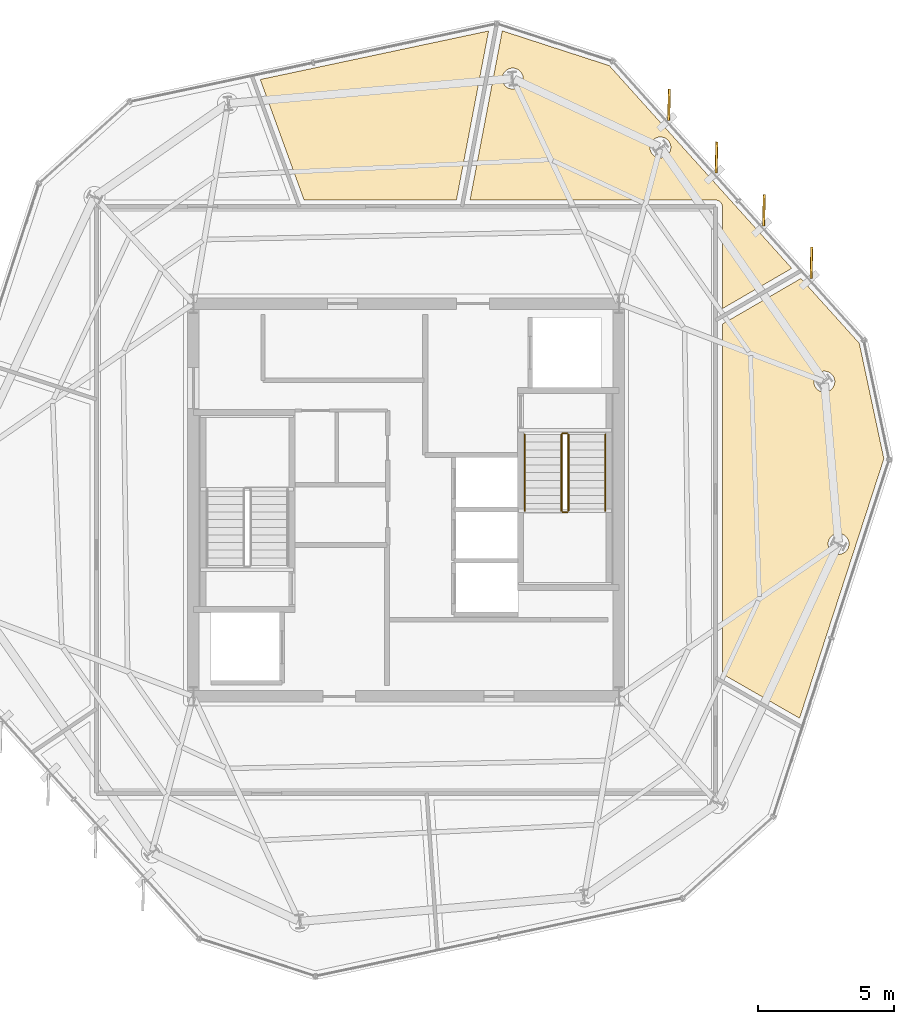
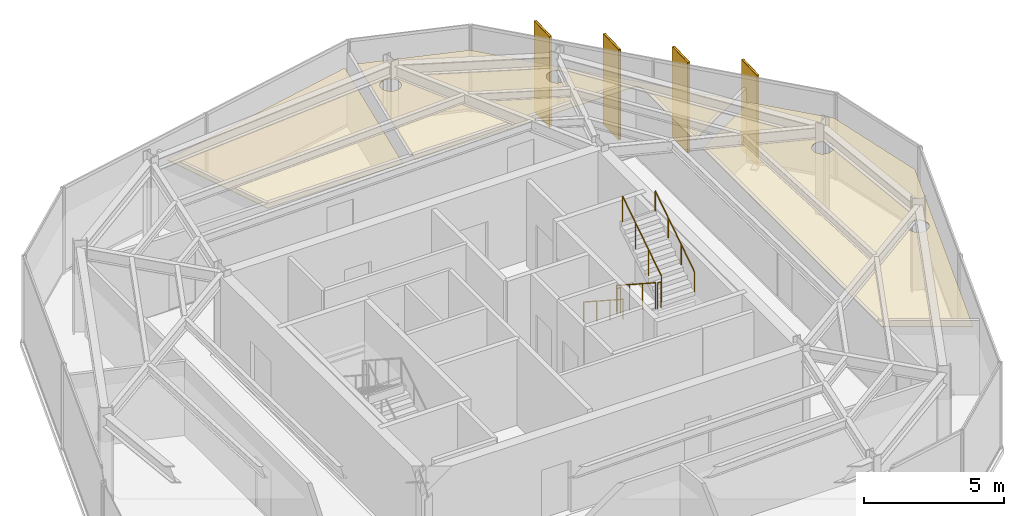
# One storey, part 13 of 13: 7 coverings, 6 railings, 4 shading devices.
"""IFC4 building model written with IfcOpenShell, lengths in metres."""

from ifc_helpers import new_model, si_unit, direction, frame, origin, origin_2d, place, context, subcontext, project, spatial, polyline, rectangle, circle, outline, extrude, material, layer, layer_set, type_object, element, save


model = new_model("IFC4")

# Units and contexts
model_context = context("Model", 3, precision=1e-05, world=origin(), true_north=direction((0.0, 1.0)))
body_context = subcontext(model_context, "Body", "Model", "MODEL_VIEW")
ifc_project = project(units=[si_unit("LENGTHUNIT", "METRE"), si_unit("AREAUNIT", "SQUARE_METRE"), si_unit("VOLUMEUNIT", "CUBIC_METRE"), si_unit("PLANEANGLEUNIT", "RADIAN"), si_unit("MASSUNIT", "GRAM", prefix="KILO")], contexts=[model_context])

# Site, building, storey
site_placement = place(None, origin())
site = spatial("IfcSite", under=ifc_project, at=site_placement, CompositionType="ELEMENT")
building_placement = place(site_placement, origin())
building = spatial("IfcBuilding", under=site, at=building_placement, Name="Kranzbogen Civic Tower", CompositionType="ELEMENT")
storey_placement = place(building_placement, frame((0.0, 0.0, 314.199951171875)))
storey = spatial("IfcBuildingStorey", under=building, at=storey_placement, Name="L76", CompositionType="ELEMENT", Elevation=314.199951171875)

# Coverings
ifc_material_1 = material(Name="Pale Anodised Aluminium", Category="aluminium")
ifc_layer_1 = layer(ifc_material_1, 0.02490234375, Name="Pale Anodised Aluminium")
ifc_layer_set_1 = layer_set([ifc_layer_1], Name="Pale Anodised Aluminium")
covering_type_1 = type_object("IfcCoveringType", Name="Anodised Aluminium Vertical Fin Cladding 25 mm", PredefinedType="CLADDING", material=ifc_layer_set_1)
for number, where, z_axis, x_axis, name in (
    (1, (39.860107421875, 33.695068359375, -0.139892578125), (0.0, 0.0, 1.0), (0.022949064795, 0.999736635532, 0.0), "L76 vertical fin pale-metal cladding F6-1"),
    (2, (38.1201171875, 35.626953125, -0.139892578125), (0.0, 0.0, 1.0), (0.022949064795, 0.999736635532, 0.0), "L76 vertical fin pale-metal cladding F6-2"),
    (3, (36.3798828125, 37.55908203125, -0.139892578125), (0.0, 0.0, 1.0), (0.022949064795, 0.999736635532, 0.0), "L76 vertical fin pale-metal cladding F6-3"),
    (4, (34.639892578125, 39.490966796875, -0.139892578125), (0.0, 0.0, 1.0), (0.022949064795, 0.999736635532, 0.0), "L76 vertical fin pale-metal cladding F6-4"),
):
    element("IfcCovering", number, at=place(storey_placement, frame(where, z_axis=z_axis, x_axis=x_axis)), inside=storey, type_object=covering_type_1, Name=name, PredefinedType="CLADDING", context=body_context, shape_type="SweptSolid", body=[
        extrude(rectangle(XDim=1.14990234375, YDim=0.094970703125, at=origin_2d()), origin(), (0.0, 0.0, 1.0), 3.9599609375),
    ])

# Railings
ifc_material_2 = material(Name="Steel S355", Category="steel")
railing_type_1 = type_object("IfcRailingType", Name="Internal Stair and Void Steel Guardrail 1150", PredefinedType="GUARDRAIL", material=ifc_material_2)
railing_1_placement = place(storey_placement, frame((30.699951171875, 27.39990234375, 0.181884765625)))
element("IfcRailing", 5, at=railing_1_placement, inside=storey, type_object=railing_type_1, Name="L76 ST-T2 stair guard 1", PredefinedType="GUARDRAIL", context=body_context, shape_type="SweptSolid", body=[
    extrude(circle(Radius=0.02392578125, at=origin_2d()), frame((0.0, 0.0, 1.1259765625), z_axis=(0.0, -0.83868413941, 0.544618136222), x_axis=(1.0, 0.0, 0.0)), (0.0, 0.0, 1.0), 3.33837890625),
    extrude(circle(Radius=0.02099609375, at=origin_2d()), origin(), (0.0, 0.0, 1.0), 1.101806640625),
    extrude(circle(Radius=0.02099609375, at=origin_2d()), frame((0.0, -0.933349609375, 0.60595703125)), (0.0, 0.0, 1.0), 1.101806640625),
    extrude(circle(Radius=0.02099609375, at=origin_2d()), frame((0.0, -1.866455078125, 1.212158203125)), (0.0, 0.0, 1.0), 1.101806640625),
    extrude(circle(Radius=0.02099609375, at=origin_2d()), frame((0.0, -2.7998046875, 1.818115234375)), (0.0, 0.0, 1.0), 1.101806640625),
])
railing_2_placement = place(storey_placement, frame((30.75, 24.550048828125, 2.0)))
element("IfcRailing", 6, at=railing_2_placement, inside=storey, type_object=railing_type_1, Name="L76 ST-T2 stair guard 2", PredefinedType="GUARDRAIL", context=body_context, shape_type="SweptSolid", body=[
    extrude(circle(Radius=0.02392578125, at=origin_2d()), frame((0.0, 0.0, 1.1259765625), z_axis=(1.0, 0.0, 0.0), x_axis=(0.0, 1.0, 0.0)), (0.0, 0.0, 1.0), 0.14990234375),
    extrude(circle(Radius=0.02099609375, at=origin_2d()), origin(), (0.0, 0.0, 1.0), 1.101806640625),
    extrude(circle(Radius=0.02099609375, at=origin_2d()), frame((0.14990234375, 0.0, 0.0)), (0.0, 0.0, 1.0), 1.101806640625),
])
railing_3_placement = place(storey_placement, frame((30.949951171875, 24.60009765625, 2.181884765625)))
element("IfcRailing", 7, at=railing_3_placement, inside=storey, type_object=railing_type_1, Name="L76 ST-T2 stair guard 3", PredefinedType="GUARDRAIL", context=body_context, shape_type="SweptSolid", body=[
    extrude(circle(Radius=0.02392578125, at=origin_2d()), frame((0.0, 0.0, 1.1259765625), z_axis=(0.0, 0.83868413941, 0.544618136222), x_axis=(-1.0, 0.0, 0.0)), (0.0, 0.0, 1.0), 3.33837890625),
    extrude(circle(Radius=0.02099609375, at=origin_2d()), origin(), (0.0, 0.0, 1.0), 1.101806640625),
    extrude(circle(Radius=0.02099609375, at=origin_2d()), frame((0.0, 0.933349609375, 0.60595703125)), (0.0, 0.0, 1.0), 1.101806640625),
    extrude(circle(Radius=0.02099609375, at=origin_2d()), frame((0.0, 1.866455078125, 1.212158203125)), (0.0, 0.0, 1.0), 1.101806640625),
    extrude(circle(Radius=0.02099609375, at=origin_2d()), frame((0.0, 2.7998046875, 1.818115234375)), (0.0, 0.0, 1.0), 1.101806640625),
])
railing_4_placement = place(storey_placement, frame((30.75, 27.449951171875, 0.0)))
element("IfcRailing", 8, at=railing_4_placement, inside=storey, type_object=railing_type_1, Name="L76 ST-T2 stair guard 4", PredefinedType="GUARDRAIL", context=body_context, shape_type="SweptSolid", body=[
    extrude(circle(Radius=0.02392578125, at=origin_2d()), frame((0.0, 0.0, 1.1259765625), z_axis=(1.0, 0.0, 0.0), x_axis=(0.0, 1.0, 0.0)), (0.0, 0.0, 1.0), 0.14990234375),
    extrude(circle(Radius=0.02099609375, at=origin_2d()), origin(), (0.0, 0.0, 1.0), 1.101806640625),
    extrude(circle(Radius=0.02099609375, at=origin_2d()), frame((0.14990234375, 0.0, 0.0)), (0.0, 0.0, 1.0), 1.101806640625),
])

# Shading devices
shading_device_type = type_object("IfcShadingDeviceType", Name="Pale Anodised Aluminium Crown Fin 1150x75", PredefinedType="USERDEFINED", material=ifc_material_1)
for number, where, z_axis, x_axis, name in (
    (9, (39.860107421875, 33.695068359375, -0.139892578125), (0.0, 0.0, 1.0), (0.022949064795, 0.999736635532, 0.0), "L76 vertical exterior shading fin F6-1"),
    (10, (38.1201171875, 35.626953125, -0.139892578125), (0.0, 0.0, 1.0), (0.022949064795, 0.999736635532, 0.0), "L76 vertical exterior shading fin F6-2"),
    (11, (36.3798828125, 37.55908203125, -0.139892578125), (0.0, 0.0, 1.0), (0.022949064795, 0.999736635532, 0.0), "L76 vertical exterior shading fin F6-3"),
    (12, (34.639892578125, 39.490966796875, -0.139892578125), (0.0, 0.0, 1.0), (0.022949064795, 0.999736635532, 0.0), "L76 vertical exterior shading fin F6-4"),
):
    element("IfcShadingDevice", number, at=place(storey_placement, frame(where, z_axis=z_axis, x_axis=x_axis)), inside=storey, type_object=shading_device_type, Name=name, ObjectType="FIN", PredefinedType="USERDEFINED", context=body_context, shape_type="SweptSolid", body=[
        extrude(rectangle(XDim=1.14990234375, YDim=0.074951171875, at=origin_2d()), origin(), (0.0, 0.0, 1.0), 3.9599609375),
    ])

# Coverings
ifc_material_3 = material(Name="Perforated Acoustic Gypsum Ceiling")
ifc_layer_2 = layer(ifc_material_3, 0.02490234375, Name="Perforated Acoustic Gypsum Ceiling")
ifc_layer_set_2 = layer_set([ifc_layer_2], Name="Perforated Acoustic Gypsum Ceiling")
covering_type_2 = type_object("IfcCoveringType", Name="Perforated Acoustic Mineral Ceiling Tile 25 mm", PredefinedType="CEILING", material=ifc_layer_set_2)
covering_1_placement = place(storey_placement, frame((0.0, 0.0, 2.75)))
element("IfcCovering", 13, at=covering_1_placement, inside=storey, type_object=covering_type_2, Name="L76 Citizen Services Kiosk acoustic ceiling", PredefinedType="CEILING", context=body_context, shape_type="SweptSolid", body=[
    extrude(outline(polyline([(42.51611328125, 26.511962890625), (39.425048828125, 17.0), (36.594970703125, 18.625), (36.594970703125, 31.448974609375), (39.47509765625, 33.12109375), (41.615966796875, 30.742919921875), (42.51611328125, 26.511962890625)]), holes=[polyline([(41.208984375, 23.242919921875), (41.193115234375, 23.208984375), (41.174072265625, 23.177001953125), (41.15087890625, 23.14697265625), (41.1259765625, 23.118896484375), (41.097900390625, 23.093994140625), (41.068115234375, 23.071044921875), (41.035888671875, 23.052001953125), (41.001953125, 23.035888671875), (40.966064453125, 23.02294921875), (40.929931640625, 23.013916015625), (40.89306640625, 23.008056640625), (40.85498046875, 23.007080078125), (40.81689453125, 23.008056640625), (40.780029296875, 23.013916015625), (40.743896484375, 23.02294921875), (40.7080078125, 23.035888671875), (40.674072265625, 23.052001953125), (40.64208984375, 23.071044921875), (40.612060546875, 23.093994140625), (40.583984375, 23.118896484375), (40.55908203125, 23.14697265625), (40.535888671875, 23.177001953125), (40.51708984375, 23.208984375), (40.5009765625, 23.242919921875), (40.488037109375, 23.279052734375), (40.47900390625, 23.31494140625), (40.472900390625, 23.35205078125), (40.471923828125, 23.389892578125), (40.472900390625, 23.427978515625), (40.47900390625, 23.465087890625), (40.488037109375, 23.5009765625), (40.5009765625, 23.537109375), (40.51708984375, 23.571044921875), (40.535888671875, 23.60302734375), (40.55908203125, 23.633056640625), (40.583984375, 23.660888671875), (40.612060546875, 23.68603515625), (40.64208984375, 23.708984375), (40.674072265625, 23.72802734375), (40.7080078125, 23.743896484375), (40.743896484375, 23.757080078125), (40.780029296875, 23.76611328125), (40.81689453125, 23.77197265625), (40.85498046875, 23.77294921875), (40.89306640625, 23.77197265625), (40.929931640625, 23.76611328125), (40.966064453125, 23.757080078125), (41.001953125, 23.743896484375), (41.035888671875, 23.72802734375), (41.068115234375, 23.708984375), (41.097900390625, 23.68603515625), (41.1259765625, 23.660888671875), (41.15087890625, 23.633056640625), (41.174072265625, 23.60302734375), (41.193115234375, 23.571044921875), (41.208984375, 23.537109375), (41.221923828125, 23.5009765625), (41.23095703125, 23.465087890625), (41.237060546875, 23.427978515625), (41.238037109375, 23.389892578125), (41.237060546875, 23.35205078125), (41.23095703125, 23.31494140625), (41.221923828125, 23.279052734375), (41.208984375, 23.242919921875)]), polyline([(40.68798828125, 29.19189453125), (40.672119140625, 29.157958984375), (40.653076171875, 29.1259765625), (40.6298828125, 29.095947265625), (40.60498046875, 29.068115234375), (40.576904296875, 29.04296875), (40.547119140625, 29.02001953125), (40.514892578125, 29.0009765625), (40.48095703125, 28.985107421875), (40.445068359375, 28.971923828125), (40.408935546875, 28.962890625), (40.3720703125, 28.95703125), (40.333984375, 28.9560546875), (40.2958984375, 28.95703125), (40.259033203125, 28.962890625), (40.222900390625, 28.971923828125), (40.18701171875, 28.985107421875), (40.153076171875, 29.0009765625), (40.12109375, 29.02001953125), (40.091064453125, 29.04296875), (40.06298828125, 29.068115234375), (40.0380859375, 29.095947265625), (40.014892578125, 29.1259765625), (39.99609375, 29.157958984375), (39.97998046875, 29.19189453125), (39.967041015625, 29.22802734375), (39.9580078125, 29.263916015625), (39.951904296875, 29.301025390625), (39.950927734375, 29.339111328125), (39.951904296875, 29.376953125), (39.9580078125, 29.4140625), (39.967041015625, 29.449951171875), (39.97998046875, 29.486083984375), (39.99609375, 29.52001953125), (40.014892578125, 29.552001953125), (40.0380859375, 29.58203125), (40.06298828125, 29.610107421875), (40.091064453125, 29.635009765625), (40.12109375, 29.657958984375), (40.153076171875, 29.677001953125), (40.18701171875, 29.693115234375), (40.222900390625, 29.7060546875), (40.259033203125, 29.715087890625), (40.2958984375, 29.720947265625), (40.333984375, 29.721923828125), (40.3720703125, 29.720947265625), (40.408935546875, 29.715087890625), (40.445068359375, 29.7060546875), (40.48095703125, 29.693115234375), (40.514892578125, 29.677001953125), (40.547119140625, 29.657958984375), (40.576904296875, 29.635009765625), (40.60498046875, 29.610107421875), (40.6298828125, 29.58203125), (40.653076171875, 29.552001953125), (40.672119140625, 29.52001953125), (40.68798828125, 29.486083984375), (40.700927734375, 29.449951171875), (40.7099609375, 29.4140625), (40.716064453125, 29.376953125), (40.717041015625, 29.339111328125), (40.716064453125, 29.301025390625), (40.7099609375, 29.263916015625), (40.700927734375, 29.22802734375), (40.68798828125, 29.19189453125)])]), origin(), (0.0, 0.0, 1.0), 0.025146484375),
])
covering_2_placement = place(storey_placement, frame((0.0, 0.0, 2.75)))
element("IfcCovering", 14, at=covering_2_placement, inside=storey, type_object=covering_type_2, Name="L76 Municipal Exhibition Showroom acoustic ceiling", PredefinedType="CEILING", context=body_context, shape_type="SweptSolid", body=[
    extrude(outline(polyline([(36.594970703125, 32.014892578125), (36.594970703125, 35.75), (36.594970703125, 35.759033203125), (36.593994140625, 35.764892578125), (36.593017578125, 35.782958984375), (36.592041015625, 35.7890625), (36.587890625, 35.805908203125), (36.5869140625, 35.81298828125), (36.58203125, 35.830078125), (36.580078125, 35.8359375), (36.572998046875, 35.85205078125), (36.570068359375, 35.85791015625), (36.56201171875, 35.873046875), (36.55810546875, 35.87890625), (36.549072265625, 35.89306640625), (36.544921875, 35.89794921875), (36.533935546875, 35.912109375), (36.529052734375, 35.9169921875), (36.51708984375, 35.928955078125), (36.511962890625, 35.93408203125), (36.498046875, 35.945068359375), (36.492919921875, 35.948974609375), (36.47900390625, 35.9580078125), (36.472900390625, 35.9619140625), (36.4580078125, 35.969970703125), (36.451904296875, 35.972900390625), (36.43603515625, 35.97998046875), (36.429931640625, 35.98193359375), (36.4130859375, 35.987060546875), (36.406005859375, 35.988037109375), (36.388916015625, 35.991943359375), (36.383056640625, 35.992919921875), (36.364990234375, 35.993896484375), (36.35888671875, 35.9951171875), (36.35009765625, 35.9951171875), (27.343994140625, 35.9951171875), (28.52587890625, 42.199951171875), (32.448974609375, 40.925048828125), (39.139892578125, 33.492919921875), (36.594970703125, 32.014892578125)]), holes=[polyline([(34.676025390625, 37.779052734375), (34.659912109375, 37.7451171875), (34.64111328125, 37.712890625), (34.617919921875, 37.68310546875), (34.593017578125, 37.655029296875), (34.56494140625, 37.6298828125), (34.534912109375, 37.60693359375), (34.5029296875, 37.587890625), (34.468994140625, 37.572021484375), (34.43310546875, 37.55908203125), (34.39697265625, 37.550048828125), (34.360107421875, 37.5439453125), (34.322021484375, 37.54296875), (34.283935546875, 37.5439453125), (34.2470703125, 37.550048828125), (34.2109375, 37.55908203125), (34.175048828125, 37.572021484375), (34.14111328125, 37.587890625), (34.10888671875, 37.60693359375), (34.0791015625, 37.6298828125), (34.051025390625, 37.655029296875), (34.02587890625, 37.68310546875), (34.0029296875, 37.712890625), (33.98388671875, 37.7451171875), (33.968017578125, 37.779052734375), (33.955078125, 37.81494140625), (33.946044921875, 37.85107421875), (33.93994140625, 37.887939453125), (33.93896484375, 37.926025390625), (33.93994140625, 37.964111328125), (33.946044921875, 38.0009765625), (33.955078125, 38.037109375), (33.968017578125, 38.072998046875), (33.98388671875, 38.10693359375), (34.0029296875, 38.138916015625), (34.02587890625, 38.1689453125), (34.051025390625, 38.197021484375), (34.0791015625, 38.221923828125), (34.10888671875, 38.2451171875), (34.14111328125, 38.263916015625), (34.175048828125, 38.280029296875), (34.2109375, 38.29296875), (34.2470703125, 38.302001953125), (34.283935546875, 38.30810546875), (34.322021484375, 38.30908203125), (34.360107421875, 38.30810546875), (34.39697265625, 38.302001953125), (34.43310546875, 38.29296875), (34.468994140625, 38.280029296875), (34.5029296875, 38.263916015625), (34.534912109375, 38.2451171875), (34.56494140625, 38.221923828125), (34.593017578125, 38.197021484375), (34.617919921875, 38.1689453125), (34.64111328125, 38.138916015625), (34.659912109375, 38.10693359375), (34.676025390625, 38.072998046875), (34.68896484375, 38.037109375), (34.697998046875, 38.0009765625), (34.7041015625, 37.964111328125), (34.705078125, 37.926025390625), (34.7041015625, 37.887939453125), (34.697998046875, 37.85107421875), (34.68896484375, 37.81494140625), (34.676025390625, 37.779052734375)]), polyline([(29.262939453125, 40.302978515625), (29.2470703125, 40.26904296875), (29.22802734375, 40.237060546875), (29.205078125, 40.20703125), (29.179931640625, 40.178955078125), (29.152099609375, 40.154052734375), (29.1220703125, 40.131103515625), (29.090087890625, 40.112060546875), (29.055908203125, 40.095947265625), (29.02001953125, 40.0830078125), (28.98388671875, 40.073974609375), (28.947021484375, 40.068115234375), (28.908935546875, 40.06689453125), (28.87109375, 40.068115234375), (28.833984375, 40.073974609375), (28.798095703125, 40.0830078125), (28.761962890625, 40.095947265625), (28.72802734375, 40.112060546875), (28.696044921875, 40.131103515625), (28.666015625, 40.154052734375), (28.637939453125, 40.178955078125), (28.613037109375, 40.20703125), (28.590087890625, 40.237060546875), (28.571044921875, 40.26904296875), (28.554931640625, 40.302978515625), (28.5419921875, 40.339111328125), (28.532958984375, 40.375), (28.527099609375, 40.412109375), (28.52587890625, 40.449951171875), (28.527099609375, 40.488037109375), (28.532958984375, 40.52490234375), (28.5419921875, 40.56103515625), (28.554931640625, 40.596923828125), (28.571044921875, 40.631103515625), (28.590087890625, 40.6630859375), (28.613037109375, 40.693115234375), (28.637939453125, 40.720947265625), (28.666015625, 40.74609375), (28.696044921875, 40.76904296875), (28.72802734375, 40.7880859375), (28.761962890625, 40.803955078125), (28.798095703125, 40.81689453125), (28.833984375, 40.825927734375), (28.87109375, 40.83203125), (28.908935546875, 40.8330078125), (28.947021484375, 40.83203125), (28.98388671875, 40.825927734375), (29.02001953125, 40.81689453125), (29.055908203125, 40.803955078125), (29.090087890625, 40.7880859375), (29.1220703125, 40.76904296875), (29.152099609375, 40.74609375), (29.179931640625, 40.720947265625), (29.205078125, 40.693115234375), (29.22802734375, 40.6630859375), (29.2470703125, 40.631103515625), (29.262939453125, 40.596923828125), (29.27587890625, 40.56103515625), (29.284912109375, 40.52490234375), (29.291015625, 40.488037109375), (29.2919921875, 40.449951171875), (29.291015625, 40.412109375), (29.284912109375, 40.375), (29.27587890625, 40.339111328125), (29.262939453125, 40.302978515625)])]), origin(), (0.0, 0.0, 1.0), 0.025146484375),
])
covering_3_placement = place(storey_placement, frame((0.0, 0.0, 2.75)))
element("IfcCovering", 15, at=covering_3_placement, inside=storey, type_object=covering_type_2, Name="L76 Licensing Information Kiosk acoustic ceiling", PredefinedType="CEILING", context=body_context, shape_type="SweptSolid", body=[
    extrude(outline(polyline([(26.844970703125, 35.9951171875), (21.261962890625, 35.9951171875), (19.654052734375, 40.4169921875), (28.02587890625, 42.196044921875), (26.844970703125, 35.9951171875)])), origin(), (0.0, 0.0, 1.0), 0.025146484375),
])

# Railings
railing_type_2 = type_object("IfcRailingType", Name="Tubular Stainless Stair Wall Handrail 900", PredefinedType="HANDRAIL", material=ifc_material_1)
railing_5_placement = place(storey_placement, frame((29.35009765625, 27.39990234375, 0.181884765625)))
element("IfcRailing", 16, at=railing_5_placement, inside=storey, type_object=railing_type_2, Name="L76 ST-T2 stair handrail 1", PredefinedType="HANDRAIL", context=body_context, shape_type="SweptSolid", body=[
    extrude(circle(Radius=0.02392578125, at=origin_2d()), frame((0.0, 0.0, 0.8759765625), z_axis=(0.0, -0.83868413941, 0.544618136222), x_axis=(1.0, 0.0, 0.0)), (0.0, 0.0, 1.0), 3.33837890625),
    extrude(circle(Radius=0.02099609375, at=origin_2d()), origin(), (0.0, 0.0, 1.0), 0.851806640625),
    extrude(circle(Radius=0.02099609375, at=origin_2d()), frame((0.0, -0.933349609375, 0.60595703125)), (0.0, 0.0, 1.0), 0.851806640625),
    extrude(circle(Radius=0.02099609375, at=origin_2d()), frame((0.0, -1.866455078125, 1.212158203125)), (0.0, 0.0, 1.0), 0.851806640625),
    extrude(circle(Radius=0.02099609375, at=origin_2d()), frame((0.0, -2.7998046875, 1.818115234375)), (0.0, 0.0, 1.0), 0.851806640625),
])
railing_6_placement = place(storey_placement, frame((32.300048828125, 24.60009765625, 2.181884765625)))
element("IfcRailing", 17, at=railing_6_placement, inside=storey, type_object=railing_type_2, Name="L76 ST-T2 stair handrail 2", PredefinedType="HANDRAIL", context=body_context, shape_type="SweptSolid", body=[
    extrude(circle(Radius=0.02392578125, at=origin_2d()), frame((0.0, 0.0, 0.8759765625), z_axis=(0.0, 0.83868413941, 0.544618136222), x_axis=(-1.0, 0.0, 0.0)), (0.0, 0.0, 1.0), 3.33837890625),
    extrude(circle(Radius=0.02099609375, at=origin_2d()), origin(), (0.0, 0.0, 1.0), 0.851806640625),
    extrude(circle(Radius=0.02099609375, at=origin_2d()), frame((0.0, 0.933349609375, 0.60595703125)), (0.0, 0.0, 1.0), 0.851806640625),
    extrude(circle(Radius=0.02099609375, at=origin_2d()), frame((0.0, 1.866455078125, 1.212158203125)), (0.0, 0.0, 1.0), 0.851806640625),
    extrude(circle(Radius=0.02099609375, at=origin_2d()), frame((0.0, 2.7998046875, 1.818115234375)), (0.0, 0.0, 1.0), 0.851806640625),
])

save(model, "model.ifc")
